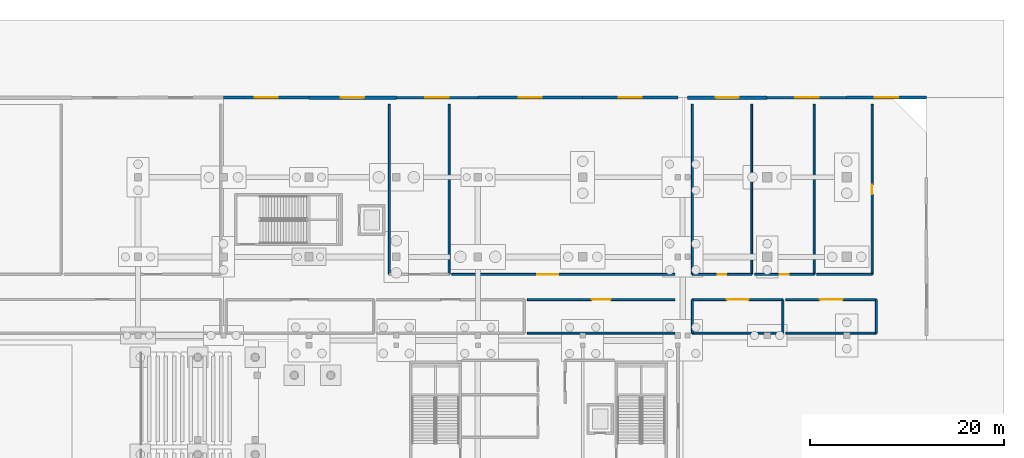
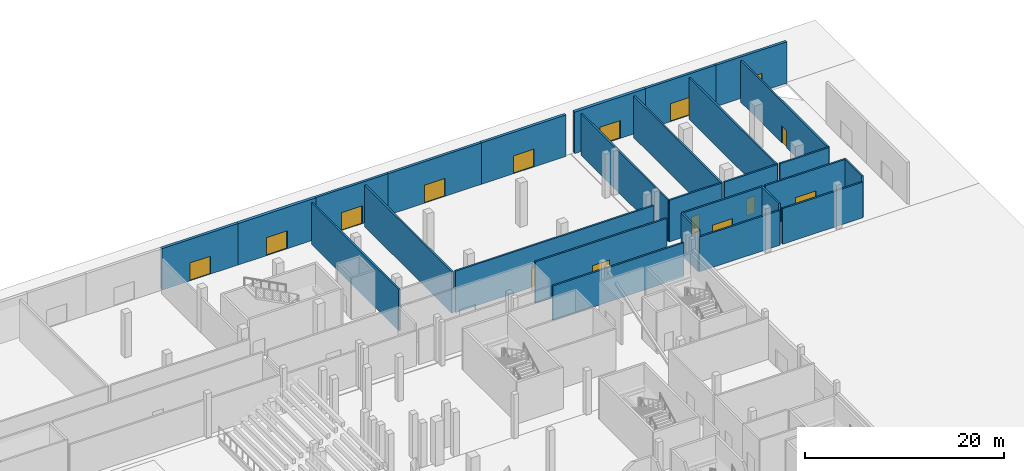
# One storey, part 49 of 89: 27 walls, 15 doors, 15 openings.
"""IFC4 building model written with IfcOpenShell, lengths in metres."""

from ifc_helpers import new_model, si_unit, direction, frame, frame_2d, origin, place, context, subcontext, project, spatial, rectangle, extrude, material, layer, layer_set, type_object, element, fill, save


model = new_model("IFC4")

# Units and contexts
model_context = context("Model", 3, precision=1e-05, world=origin(), true_north=direction((0.0, 1.0)))
body_context = subcontext(model_context, "Body", "Model", "MODEL_VIEW")
ifc_project = project(units=[si_unit("LENGTHUNIT", "METRE"), si_unit("AREAUNIT", "SQUARE_METRE"), si_unit("VOLUMEUNIT", "CUBIC_METRE"), si_unit("PLANEANGLEUNIT", "RADIAN"), si_unit("MASSUNIT", "GRAM", prefix="KILO")], contexts=[model_context])

# Site, building, storey
site_placement = place(None, origin())
site = spatial("IfcSite", under=ifc_project, at=site_placement, CompositionType="ELEMENT")
building_placement = place(site_placement, origin())
building = spatial("IfcBuilding", under=site, at=building_placement, Name="Koshinbarg Plaza Stadium", CompositionType="ELEMENT")
storey_placement = place(building_placement, origin())
storey = spatial("IfcBuildingStorey", under=building, at=storey_placement, Name="L00", CompositionType="ELEMENT", Elevation=0.0)

# Wall, opening, door
ifc_material_1 = material(Name="Terracotta-ochre mineral plaster insulated wall", Category="masonry")
ifc_layer_1 = layer(ifc_material_1, 0.280029296875)
ifc_layer_set_1 = layer_set([ifc_layer_1], Name="Terracotta-ochre mineral plaster insulated wall")
wall_type_1 = type_object("IfcWallType", Name="WL-EXT-280", PredefinedType="SOLIDWALL", material=ifc_layer_set_1)
wall_1_placement = place(storey_placement, frame((189.39990234375, 152.0, 0.0), z_axis=(0.0, 0.0, 1.0), x_axis=(1.0, 0.0, 0.0)))
wall_1 = element("IfcWall", 1, at=wall_1_placement, inside=storey, type_object=wall_type_1, Name="L00 exterior envelope wall EWL-L00-0032", PredefinedType="SOLIDWALL", context=body_context, shape_type="SweptSolid", body=[
    extrude(rectangle(XDim=8.400146484375, YDim=0.280029296875, at=frame_2d((4.2001953125, 0.0))), origin(), (0.0, 0.0, 1.0), 5.080078125),
])
opening_1_placement = place(wall_1_placement, frame((3.0, 0.0, 0.0)))
opening_1 = element("IfcOpeningElement", 2, at=opening_1_placement, cuts=wall_1, Name="Opening D-0033", PredefinedType="OPENING", context=body_context, shape_type="SweptSolid", body=[
    extrude(rectangle(XDim=2.39990234375, YDim=2.199951171875, at=frame_2d((1.199951171875, 1.10009765625))), frame((0.0, 0.14990234375, 0.0), z_axis=(0.0, -1.0, 0.0), x_axis=(1.0, 0.0, 0.0)), (0.0, 0.0, 1.0), 0.300048828125),
])
ifc_material_2 = material(Name="Anodised aluminium thermally broken exit door", Category="aluminium")
door_type_1 = type_object("IfcDoorType", Name="DR-EXIT-2400", OperationType="NOTDEFINED", PredefinedType="DOOR", material=ifc_material_2)
door_1_placement = place(opening_1_placement, origin())
door_1 = element("IfcDoor", 3, at=door_1_placement, inside=storey, type_object=door_type_1, Name="Main exit E32", OperationType="DOUBLE_DOOR_SINGLE_SWING", OverallHeight=2.199951171875, OverallWidth=2.39990234375, PredefinedType="DOOR", context=body_context, shape_type="SweptSolid", body=[
    extrude(rectangle(XDim=2.39990234375, YDim=2.199951171875, at=frame_2d((1.199951171875, 1.10009765625))), frame((0.0, 0.02490234375, 0.0), z_axis=(0.0, -1.0, 0.0), x_axis=(1.0, 0.0, 0.0)), (0.0, 0.0, 1.0), 0.050048828125),
])
fill(opening_1, door_1)

wall_2_placement = place(storey_placement, frame((227.60009765625, 152.0, 0.0), z_axis=(0.0, 0.0, 1.0), x_axis=(1.0, 0.0, 0.0)))
wall_2 = element("IfcWall", 4, at=wall_2_placement, inside=storey, type_object=wall_type_1, Name="L00 exterior envelope wall EWL-L00-0036", PredefinedType="SOLIDWALL", context=body_context, shape_type="SweptSolid", body=[
    extrude(rectangle(XDim=8.199951171875, YDim=0.280029296875, at=frame_2d((4.10009765625, 0.0))), origin(), (0.0, 0.0, 1.0), 5.080078125),
])
opening_2_placement = place(wall_2_placement, frame((2.89990234375, 0.0, 0.0)))
opening_2 = element("IfcOpeningElement", 5, at=opening_2_placement, cuts=wall_2, Name="Opening D-0037", PredefinedType="OPENING", context=body_context, shape_type="SweptSolid", body=[
    extrude(rectangle(XDim=2.39990234375, YDim=2.199951171875, at=frame_2d((1.199951171875, 1.10009765625))), frame((0.0, 0.14990234375, 0.0), z_axis=(0.0, -1.0, 0.0), x_axis=(1.0, 0.0, 0.0)), (0.0, 0.0, 1.0), 0.300048828125),
])
door_2_placement = place(opening_2_placement, origin())
door_2 = element("IfcDoor", 6, at=door_2_placement, inside=storey, type_object=door_type_1, Name="Main exit E36", OperationType="DOUBLE_DOOR_SINGLE_SWING", OverallHeight=2.199951171875, OverallWidth=2.39990234375, PredefinedType="DOOR", context=body_context, shape_type="SweptSolid", body=[
    extrude(rectangle(XDim=2.39990234375, YDim=2.199951171875, at=frame_2d((1.199951171875, 1.10009765625))), frame((0.0, 0.02490234375, 0.0), z_axis=(0.0, -1.0, 0.0), x_axis=(1.0, 0.0, 0.0)), (0.0, 0.0, 1.0), 0.050048828125),
])
fill(opening_2, door_2)

ifc_material_3 = material(Name="Off-white mineral plaster insulated wall", Category="masonry")
ifc_layer_2 = layer(ifc_material_3, 0.300048828125)
ifc_layer_set_2 = layer_set([ifc_layer_2], Name="Off-white mineral plaster insulated wall")
wall_type_2 = type_object("IfcWallType", Name="WL-EXT-300", PredefinedType="SOLIDWALL", material=ifc_layer_set_2)
wall_3_placement = place(storey_placement, frame((197.800048828125, 152.0, 0.0), z_axis=(0.0, 0.0, 1.0), x_axis=(1.0, 0.0, 0.0)))
wall_3 = element("IfcWall", 7, at=wall_3_placement, inside=storey, type_object=wall_type_2, Name="L00 exterior envelope wall EWL-L00-0033", PredefinedType="SOLIDWALL", context=body_context, shape_type="SweptSolid", body=[
    extrude(rectangle(XDim=10.800048828125, YDim=0.300048828125, at=frame_2d((5.39990234375, 0.0))), origin(), (0.0, 0.0, 1.0), 5.080078125),
])
opening_3_placement = place(wall_3_placement, frame((4.199951171875, 0.0, 0.0)))
opening_3 = element("IfcOpeningElement", 8, at=opening_3_placement, cuts=wall_3, Name="Opening D-0034", PredefinedType="OPENING", context=body_context, shape_type="SweptSolid", body=[
    extrude(rectangle(XDim=2.39990234375, YDim=2.199951171875, at=frame_2d((1.199951171875, 1.10009765625))), frame((0.0, 0.159912109375, 0.0), z_axis=(0.0, -1.0, 0.0), x_axis=(1.0, 0.0, 0.0)), (0.0, 0.0, 1.0), 0.320068359375),
])
door_3_placement = place(opening_3_placement, origin())
door_3 = element("IfcDoor", 9, at=door_3_placement, inside=storey, type_object=door_type_1, Name="Main exit E33", OperationType="DOUBLE_DOOR_SINGLE_SWING", OverallHeight=2.199951171875, OverallWidth=2.39990234375, PredefinedType="DOOR", context=body_context, shape_type="SweptSolid", body=[
    extrude(rectangle(XDim=2.39990234375, YDim=2.199951171875, at=frame_2d((1.199951171875, 1.10009765625))), frame((0.0, 0.02490234375, 0.0), z_axis=(0.0, -1.0, 0.0), x_axis=(1.0, 0.0, 0.0)), (0.0, 0.0, 1.0), 0.050048828125),
])
fill(opening_3, door_3)

wall_4_placement = place(storey_placement, frame((235.800048828125, 152.0, 0.0), z_axis=(0.0, 0.0, 1.0), x_axis=(1.0, 0.0, 0.0)))
wall_4 = element("IfcWall", 10, at=wall_4_placement, inside=storey, type_object=wall_type_2, Name="L00 exterior envelope wall EWL-L00-0037", PredefinedType="SOLIDWALL", context=body_context, shape_type="SweptSolid", body=[
    extrude(rectangle(XDim=8.199951171875, YDim=0.300048828125, at=frame_2d((4.10009765625, 0.0))), origin(), (0.0, 0.0, 1.0), 5.080078125),
])
opening_4_placement = place(wall_4_placement, frame((2.89990234375, 0.0, 0.0)))
opening_4 = element("IfcOpeningElement", 11, at=opening_4_placement, cuts=wall_4, Name="Opening D-0038", PredefinedType="OPENING", context=body_context, shape_type="SweptSolid", body=[
    extrude(rectangle(XDim=2.39990234375, YDim=2.199951171875, at=frame_2d((1.199951171875, 1.10009765625))), frame((0.0, 0.159912109375, 0.0), z_axis=(0.0, -1.0, 0.0), x_axis=(1.0, 0.0, 0.0)), (0.0, 0.0, 1.0), 0.320068359375),
])
door_4_placement = place(opening_4_placement, origin())
door_4 = element("IfcDoor", 12, at=door_4_placement, inside=storey, type_object=door_type_1, Name="Main exit E37", OperationType="DOUBLE_DOOR_SINGLE_SWING", OverallHeight=2.199951171875, OverallWidth=2.39990234375, PredefinedType="DOOR", context=body_context, shape_type="SweptSolid", body=[
    extrude(rectangle(XDim=2.39990234375, YDim=2.199951171875, at=frame_2d((1.199951171875, 1.10009765625))), frame((0.0, 0.02490234375, 0.0), z_axis=(0.0, -1.0, 0.0), x_axis=(1.0, 0.0, 0.0)), (0.0, 0.0, 1.0), 0.050048828125),
])
fill(opening_4, door_4)

ifc_material_4 = material(Name="Ultramarine-blue pigmented mineral plaster facade wall", Category="masonry")
ifc_layer_3 = layer(ifc_material_4, 0.320068359375)
ifc_layer_set_3 = layer_set([ifc_layer_3], Name="Ultramarine-blue pigmented mineral plaster facade wall")
wall_type_3 = type_object("IfcWallType", Name="WL-EXT-320", PredefinedType="SOLIDWALL", material=ifc_layer_set_3)
wall_5_placement = place(storey_placement, frame((171.60009765625, 152.0, 0.0), z_axis=(0.0, 0.0, 1.0), x_axis=(1.0, 0.0, 0.0)))
wall_5 = element("IfcWall", 13, at=wall_5_placement, inside=storey, type_object=wall_type_3, Name="L00 exterior envelope wall EWL-L00-0030", PredefinedType="SOLIDWALL", context=body_context, shape_type="SweptSolid", body=[
    extrude(rectangle(XDim=8.7998046875, YDim=0.320068359375, at=frame_2d((4.39990234375, 0.0))), origin(), (0.0, 0.0, 1.0), 5.080078125),
])
opening_5_placement = place(wall_5_placement, frame((3.199951171875, 0.0, 0.0)))
opening_5 = element("IfcOpeningElement", 14, at=opening_5_placement, cuts=wall_5, Name="Opening D-0031", PredefinedType="OPENING", context=body_context, shape_type="SweptSolid", body=[
    extrude(rectangle(XDim=2.39990234375, YDim=2.199951171875, at=frame_2d((1.199951171875, 1.10009765625))), frame((0.0, 0.169921875, 0.0), z_axis=(0.0, -1.0, 0.0), x_axis=(1.0, 0.0, 0.0)), (0.0, 0.0, 1.0), 0.340087890625),
])
door_5_placement = place(opening_5_placement, origin())
door_5 = element("IfcDoor", 15, at=door_5_placement, inside=storey, type_object=door_type_1, Name="Main exit E30", OperationType="DOUBLE_DOOR_SINGLE_SWING", OverallHeight=2.199951171875, OverallWidth=2.39990234375, PredefinedType="DOOR", context=body_context, shape_type="SweptSolid", body=[
    extrude(rectangle(XDim=2.39990234375, YDim=2.199951171875, at=frame_2d((1.199951171875, 1.10009765625))), frame((0.0, 0.02490234375, 0.0), z_axis=(0.0, -1.0, 0.0), x_axis=(1.0, 0.0, 0.0)), (0.0, 0.0, 1.0), 0.050048828125),
])
fill(opening_5, door_5)

wall_6_placement = place(storey_placement, frame((208.60009765625, 152.0, 0.0), z_axis=(0.0, 0.0, 1.0), x_axis=(1.0, 0.0, 0.0)))
wall_6 = element("IfcWall", 16, at=wall_6_placement, inside=storey, type_object=wall_type_3, Name="L00 exterior envelope wall EWL-L00-0034", PredefinedType="SOLIDWALL", context=body_context, shape_type="SweptSolid", body=[
    extrude(rectangle(XDim=9.7998046875, YDim=0.320068359375, at=frame_2d((4.89990234375, 0.0))), origin(), (0.0, 0.0, 1.0), 5.080078125),
])
opening_6_placement = place(wall_6_placement, frame((3.699951171875, 0.0, 0.0)))
opening_6 = element("IfcOpeningElement", 17, at=opening_6_placement, cuts=wall_6, Name="Opening D-0035", PredefinedType="OPENING", context=body_context, shape_type="SweptSolid", body=[
    extrude(rectangle(XDim=2.39990234375, YDim=2.199951171875, at=frame_2d((1.199951171875, 1.10009765625))), frame((0.0, 0.169921875, 0.0), z_axis=(0.0, -1.0, 0.0), x_axis=(1.0, 0.0, 0.0)), (0.0, 0.0, 1.0), 0.340087890625),
])
door_6_placement = place(opening_6_placement, origin())
door_6 = element("IfcDoor", 18, at=door_6_placement, inside=storey, type_object=door_type_1, Name="Main exit E34", OperationType="DOUBLE_DOOR_SINGLE_SWING", OverallHeight=2.199951171875, OverallWidth=2.39990234375, PredefinedType="DOOR", context=body_context, shape_type="SweptSolid", body=[
    extrude(rectangle(XDim=2.39990234375, YDim=2.199951171875, at=frame_2d((1.199951171875, 1.10009765625))), frame((0.0, 0.02490234375, 0.0), z_axis=(0.0, -1.0, 0.0), x_axis=(1.0, 0.0, 0.0)), (0.0, 0.0, 1.0), 0.050048828125),
])
fill(opening_6, door_6)

ifc_material_5 = material(Name="Acoustic insulated masonry stadium wall", Category="masonry")
ifc_layer_4 = layer(ifc_material_5, 0.35009765625)
ifc_layer_set_4 = layer_set([ifc_layer_4], Name="Acoustic insulated masonry stadium wall")
wall_type_4 = type_object("IfcWallType", Name="WL-EXT-350", PredefinedType="SOLIDWALL", material=ifc_layer_set_4)
wall_7_placement = place(storey_placement, frame((180.39990234375, 152.0, 0.0), z_axis=(0.0, 0.0, 1.0), x_axis=(1.0, 0.0, 0.0)))
wall_7 = element("IfcWall", 19, at=wall_7_placement, inside=storey, type_object=wall_type_4, Name="L00 exterior envelope wall EWL-L00-0031", PredefinedType="SOLIDWALL", context=body_context, shape_type="SweptSolid", body=[
    extrude(rectangle(XDim=9.0, YDim=0.35009765625, at=frame_2d((4.5, 0.0))), origin(), (0.0, 0.0, 1.0), 5.080078125),
])
opening_7_placement = place(wall_7_placement, frame((3.300048828125, 0.0, 0.0)))
opening_7 = element("IfcOpeningElement", 20, at=opening_7_placement, cuts=wall_7, Name="Opening D-0032", PredefinedType="OPENING", context=body_context, shape_type="SweptSolid", body=[
    extrude(rectangle(XDim=2.39990234375, YDim=2.199951171875, at=frame_2d((1.199951171875, 1.10009765625))), frame((0.0, 0.18505859375, 0.0), z_axis=(0.0, -1.0, 0.0), x_axis=(1.0, 0.0, 0.0)), (0.0, 0.0, 1.0), 0.3701171875),
])
door_7_placement = place(opening_7_placement, origin())
door_7 = element("IfcDoor", 21, at=door_7_placement, inside=storey, type_object=door_type_1, Name="Main exit E31", OperationType="DOUBLE_DOOR_SINGLE_SWING", OverallHeight=2.199951171875, OverallWidth=2.39990234375, PredefinedType="DOOR", context=body_context, shape_type="SweptSolid", body=[
    extrude(rectangle(XDim=2.39990234375, YDim=2.199951171875, at=frame_2d((1.199951171875, 1.10009765625))), frame((0.0, 0.02490234375, 0.0), z_axis=(0.0, -1.0, 0.0), x_axis=(1.0, 0.0, 0.0)), (0.0, 0.0, 1.0), 0.050048828125),
])
fill(opening_7, door_7)

wall_8_placement = place(storey_placement, frame((219.39990234375, 152.0, 0.0), z_axis=(0.0, 0.0, 1.0), x_axis=(1.0, 0.0, 0.0)))
wall_8 = element("IfcWall", 22, at=wall_8_placement, inside=storey, type_object=wall_type_4, Name="L00 exterior envelope wall EWL-L00-0035", PredefinedType="SOLIDWALL", context=body_context, shape_type="SweptSolid", body=[
    extrude(rectangle(XDim=8.2001953125, YDim=0.35009765625, at=frame_2d((4.10009765625, 0.0))), origin(), (0.0, 0.0, 1.0), 5.080078125),
])
opening_8_placement = place(wall_8_placement, frame((2.89990234375, 0.0, 0.0)))
opening_8 = element("IfcOpeningElement", 23, at=opening_8_placement, cuts=wall_8, Name="Opening D-0036", PredefinedType="OPENING", context=body_context, shape_type="SweptSolid", body=[
    extrude(rectangle(XDim=2.39990234375, YDim=2.199951171875, at=frame_2d((1.199951171875, 1.10009765625))), frame((0.0, 0.18505859375, 0.0), z_axis=(0.0, -1.0, 0.0), x_axis=(1.0, 0.0, 0.0)), (0.0, 0.0, 1.0), 0.3701171875),
])
door_8_placement = place(opening_8_placement, origin())
door_8 = element("IfcDoor", 24, at=door_8_placement, inside=storey, type_object=door_type_1, Name="Main exit E35", OperationType="DOUBLE_DOOR_SINGLE_SWING", OverallHeight=2.199951171875, OverallWidth=2.39990234375, PredefinedType="DOOR", context=body_context, shape_type="SweptSolid", body=[
    extrude(rectangle(XDim=2.39990234375, YDim=2.199951171875, at=frame_2d((1.199951171875, 1.10009765625))), frame((0.0, 0.02490234375, 0.0), z_axis=(0.0, -1.0, 0.0), x_axis=(1.0, 0.0, 0.0)), (0.0, 0.0, 1.0), 0.050048828125),
])
fill(opening_8, door_8)

# Wall
ifc_material_6 = material(Name="Autoclaved aerated blockwork fire partition", Category="masonry")
ifc_layer_5 = layer(ifc_material_6, 0.199951171875)
ifc_layer_set_5 = layer_set([ifc_layer_5], Name="Autoclaved aerated blockwork fire partition")
wall_type_5 = type_object("IfcWallType", Name="WL-PART-200", PredefinedType="PARTITIONING", material=ifc_layer_set_5)
wall_9_placement = place(storey_placement, frame((202.893310546875, 127.7451171875, 0.0), z_axis=(0.0, 0.0, 1.0), x_axis=(1.0, 0.0, 0.0)))
element("IfcWall", 25, at=wall_9_placement, inside=storey, type_object=wall_type_5, Name="L00 interior partition L00-128-south IWL-L00-1220", PredefinedType="PARTITIONING", context=body_context, shape_type="SweptSolid", body=[
    extrude(rectangle(XDim=15.211669921875, YDim=0.199951171875, at=frame_2d((7.60595703125, 0.0))), origin(), (0.0, 0.0, 1.0), 4.2099609375),
])

# Wall, opening, door
wall_10_placement = place(storey_placement, frame((218.10498046875, 131.199951171875, 0.0), z_axis=(0.0, 0.0, 1.0), x_axis=(-1.0, 0.0, 0.0)))
wall_10 = element("IfcWall", 26, at=wall_10_placement, inside=storey, type_object=wall_type_5, Name="L00 interior partition L00-128-north IWL-L00-1221", PredefinedType="PARTITIONING", context=body_context, shape_type="SweptSolid", body=[
    extrude(rectangle(XDim=15.211669921875, YDim=0.199951171875, at=frame_2d((7.60595703125, 0.0))), origin(), (0.0, 0.0, 1.0), 5.080078125),
])
opening_9_placement = place(wall_10_placement, frame((6.625732421875, 0.0, 0.0)))
opening_9 = element("IfcOpeningElement", 27, at=opening_9_placement, cuts=wall_10, Name="Opening D-0397", PredefinedType="OPENING", context=body_context, shape_type="SweptSolid", body=[
    extrude(rectangle(XDim=1.9599609375, YDim=2.300048828125, at=frame_2d((0.97998046875, 1.14990234375))), frame((0.0, 0.10986328125, 0.0), z_axis=(0.0, -1.0, 0.0), x_axis=(1.0, 0.0, 0.0)), (0.0, 0.0, 1.0), 0.219970703125),
])
ifc_material_7 = material(Name="Bronze-anodised aluminium glazed double door", Category="aluminium")
door_type_2 = type_object("IfcDoorType", Name="DR-INT-1960x2300", OperationType="NOTDEFINED", PredefinedType="DOOR", material=ifc_material_7)
door_9_placement = place(opening_9_placement, origin())
door_9 = element("IfcDoor", 28, at=door_9_placement, inside=storey, type_object=door_type_2, Name="L00 Tashkent Football Heritage Salon door D-0397", OperationType="DOUBLE_DOOR_SINGLE_SWING", OverallHeight=2.300048828125, OverallWidth=1.9599609375, PredefinedType="DOOR", context=body_context, shape_type="SweptSolid", body=[
    extrude(rectangle(XDim=1.9599609375, YDim=2.300048828125, at=frame_2d((0.97998046875, 1.14990234375))), frame((0.0, 0.02490234375, 0.0), z_axis=(0.0, -1.0, 0.0), x_axis=(1.0, 0.0, 0.0)), (0.0, 0.0, 1.0), 0.050048828125),
])
fill(opening_9, door_9)

# Walls
for number, where, z_axis, x_axis, name in (
    (29, (194.83740234375, 133.800048828125, 0.0), (0.0, 0.0, 1.0), (0.0, 1.0, 0.0), "L00 interior partition L00-129-east IWL-L00-1223"),
    (30, (188.679931640625, 151.300048828125, 0.0), (0.0, 0.0, 1.0), (0.0, -1.0, 0.0), "L00 interior partition L00-129-west IWL-L00-1224"),
):
    element("IfcWall", number, at=place(storey_placement, frame(where, z_axis=z_axis, x_axis=x_axis)), inside=storey, type_object=wall_type_5, Name=name, PredefinedType="PARTITIONING", context=body_context, shape_type="SweptSolid", body=[
        extrude(rectangle(XDim=17.5, YDim=0.199951171875, at=frame_2d((8.75, 0.0))), origin(), (0.0, 0.0, 1.0), 5.080078125),
    ])

# Wall, opening, door
wall_11_placement = place(storey_placement, frame((195.137451171875, 133.800048828125, 0.0), z_axis=(0.0, 0.0, 1.0), x_axis=(1.0, 0.0, 0.0)))
wall_11 = element("IfcWall", 31, at=wall_11_placement, inside=storey, type_object=wall_type_5, Name="L00 interior partition L00-130-south IWL-L00-1225", PredefinedType="PARTITIONING", context=body_context, shape_type="SweptSolid", body=[
    extrude(rectangle(XDim=22.967529296875, YDim=0.199951171875, at=frame_2d((11.48388671875, 0.0))), origin(), (0.0, 0.0, 1.0), 5.080078125),
])
opening_10_placement = place(wall_11_placement, frame((8.795166015625, 0.0, 0.0)))
opening_10 = element("IfcOpeningElement", 32, at=opening_10_placement, cuts=wall_11, Name="Opening D-0399", PredefinedType="OPENING", context=body_context, shape_type="SweptSolid", body=[
    extrude(rectangle(XDim=2.159912109375, YDim=2.35009765625, at=frame_2d((1.080078125, 1.175048828125))), frame((0.0, 0.10986328125, 0.0), z_axis=(0.0, -1.0, 0.0), x_axis=(1.0, 0.0, 0.0)), (0.0, 0.0, 1.0), 0.219970703125),
])
ifc_material_8 = material(Name="Galvanized painted steel double leaf door", Category="steel")
door_type_3 = type_object("IfcDoorType", Name="DR-INT-2160x2350", OperationType="NOTDEFINED", PredefinedType="DOOR", material=ifc_material_8)
door_10_placement = place(opening_10_placement, origin())
door_10 = element("IfcDoor", 33, at=door_10_placement, inside=storey, type_object=door_type_3, Name="L00 Tashkent Football Heritage Salon door D-0399", OperationType="DOUBLE_DOOR_SINGLE_SWING", OverallHeight=2.35009765625, OverallWidth=2.159912109375, PredefinedType="DOOR", context=body_context, shape_type="SweptSolid", body=[
    extrude(rectangle(XDim=2.159912109375, YDim=2.35009765625, at=frame_2d((1.080078125, 1.175048828125))), frame((0.0, 0.02490234375, 0.0), z_axis=(0.0, -1.0, 0.0), x_axis=(1.0, 0.0, 0.0)), (0.0, 0.0, 1.0), 0.050048828125),
])
fill(opening_10, door_10)

# Walls
wall_12_placement = place(storey_placement, frame((219.89501953125, 127.7451171875, 0.0), z_axis=(0.0, 0.0, 1.0), x_axis=(1.0, 0.0, 0.0)))
element("IfcWall", 34, at=wall_12_placement, inside=storey, type_object=wall_type_5, Name="L00 interior partition L00-131-south IWL-L00-1226", PredefinedType="PARTITIONING", context=body_context, shape_type="SweptSolid", body=[
    extrude(rectangle(XDim=9.327392578125, YDim=0.199951171875, at=frame_2d((4.66357421875, 0.0))), origin(), (0.0, 0.0, 1.0), 4.260009765625),
])
wall_13_placement = place(storey_placement, frame((229.222412109375, 127.7451171875, 0.0), z_axis=(0.0, 0.0, 1.0), x_axis=(0.0, 1.0, 0.0)))
element("IfcWall", 35, at=wall_13_placement, inside=storey, type_object=wall_type_5, Name="L00 interior partition L00-131-east IWL-L00-1227", PredefinedType="PARTITIONING", context=body_context, shape_type="SweptSolid", body=[
    extrude(rectangle(XDim=3.454833984375, YDim=0.199951171875, at=frame_2d((1.7275390625, 0.0))), origin(), (0.0, 0.0, 1.0), 5.080078125),
])

# Wall, opening, door
wall_14_placement = place(storey_placement, frame((229.222412109375, 131.199951171875, 0.0), z_axis=(0.0, 0.0, 1.0), x_axis=(-1.0, 0.0, 0.0)))
wall_14 = element("IfcWall", 36, at=wall_14_placement, inside=storey, type_object=wall_type_5, Name="L00 interior partition L00-131-north IWL-L00-1228", PredefinedType="PARTITIONING", context=body_context, shape_type="SweptSolid", body=[
    extrude(rectangle(XDim=9.327392578125, YDim=0.199951171875, at=frame_2d((4.66357421875, 0.0))), origin(), (0.0, 0.0, 1.0), 5.080078125),
])
opening_11_placement = place(wall_14_placement, frame((3.523681640625, 0.0, 0.0)))
opening_11 = element("IfcOpeningElement", 37, at=opening_11_placement, cuts=wall_14, Name="Opening D-0400", PredefinedType="OPENING", context=body_context, shape_type="SweptSolid", body=[
    extrude(rectangle(XDim=2.280029296875, YDim=2.39990234375, at=frame_2d((1.14013671875, 1.199951171875))), frame((0.0, 0.10986328125, 0.0), z_axis=(0.0, -1.0, 0.0), x_axis=(1.0, 0.0, 0.0)), (0.0, 0.0, 1.0), 0.219970703125),
])
ifc_material_9 = material(Name="Anodised aluminium and laminated glass portal door", Category="aluminium")
door_type_4 = type_object("IfcDoorType", Name="DR-INT-2280x2400", OperationType="NOTDEFINED", PredefinedType="DOOR", material=ifc_material_9)
door_11_placement = place(opening_11_placement, origin())
door_11 = element("IfcDoor", 38, at=door_11_placement, inside=storey, type_object=door_type_4, Name="L00 Olympic Heritage Exhibition Hall door D-0400", OperationType="DOUBLE_DOOR_SINGLE_SWING", OverallHeight=2.39990234375, OverallWidth=2.280029296875, PredefinedType="DOOR", context=body_context, shape_type="SweptSolid", body=[
    extrude(rectangle(XDim=2.280029296875, YDim=2.39990234375, at=frame_2d((1.14013671875, 1.199951171875))), frame((0.0, 0.02490234375, 0.0), z_axis=(0.0, -1.0, 0.0), x_axis=(1.0, 0.0, 0.0)), (0.0, 0.0, 1.0), 0.050048828125),
])
fill(opening_11, door_11)

# Walls
wall_15_placement = place(storey_placement, frame((219.89501953125, 131.199951171875, 0.0), z_axis=(0.0, 0.0, 1.0), x_axis=(0.0, -1.0, 0.0)))
element("IfcWall", 39, at=wall_15_placement, inside=storey, type_object=wall_type_5, Name="L00 interior partition L00-131-west IWL-L00-1229", PredefinedType="PARTITIONING", context=body_context, shape_type="SweptSolid", body=[
    extrude(rectangle(XDim=3.454833984375, YDim=0.199951171875, at=frame_2d((1.7275390625, 0.0))), origin(), (0.0, 0.0, 1.0), 5.080078125),
])
wall_16_placement = place(storey_placement, frame((229.5224609375, 127.7451171875, 0.0), z_axis=(0.0, 0.0, 1.0), x_axis=(1.0, 0.0, 0.0)))
element("IfcWall", 40, at=wall_16_placement, inside=storey, type_object=wall_type_5, Name="L00 interior partition L00-132-south IWL-L00-1230", PredefinedType="PARTITIONING", context=body_context, shape_type="SweptSolid", body=[
    extrude(rectangle(XDim=9.32763671875, YDim=0.199951171875, at=frame_2d((4.663818359375, 0.0))), origin(), (0.0, 0.0, 1.0), 4.360107421875),
])
wall_17_placement = place(storey_placement, frame((238.85009765625, 127.7451171875, 0.0), z_axis=(0.0, 0.0, 1.0), x_axis=(0.0, 1.0, 0.0)))
element("IfcWall", 41, at=wall_17_placement, inside=storey, type_object=wall_type_5, Name="L00 interior partition L00-132-east IWL-L00-1231", PredefinedType="PARTITIONING", context=body_context, shape_type="SweptSolid", body=[
    extrude(rectangle(XDim=3.454833984375, YDim=0.199951171875, at=frame_2d((1.7275390625, 0.0))), origin(), (0.0, 0.0, 1.0), 5.080078125),
])

# Wall, opening, door
wall_18_placement = place(storey_placement, frame((238.85009765625, 131.199951171875, 0.0), z_axis=(0.0, 0.0, 1.0), x_axis=(-1.0, 0.0, 0.0)))
wall_18 = element("IfcWall", 42, at=wall_18_placement, inside=storey, type_object=wall_type_5, Name="L00 interior partition L00-132-north IWL-L00-1232", PredefinedType="PARTITIONING", context=body_context, shape_type="SweptSolid", body=[
    extrude(rectangle(XDim=9.32763671875, YDim=0.199951171875, at=frame_2d((4.663818359375, 0.0))), origin(), (0.0, 0.0, 1.0), 5.080078125),
])
opening_12_placement = place(wall_18_placement, frame((3.483642578125, 0.0, 0.0)))
opening_12 = element("IfcOpeningElement", 43, at=opening_12_placement, cuts=wall_18, Name="Opening D-0401", PredefinedType="OPENING", context=body_context, shape_type="SweptSolid", body=[
    extrude(rectangle(XDim=2.360107421875, YDim=2.39990234375, at=frame_2d((1.18017578125, 1.199951171875))), frame((0.0, 0.10986328125, 0.0), z_axis=(0.0, -1.0, 0.0), x_axis=(1.0, 0.0, 0.0)), (0.0, 0.0, 1.0), 0.219970703125),
])
ifc_material_10 = material(Name="Powder-coated steel and tempered glass double door", Category="steel")
door_type_5 = type_object("IfcDoorType", Name="DR-INT-2360x2400", OperationType="NOTDEFINED", PredefinedType="DOOR", material=ifc_material_10)
door_12_placement = place(opening_12_placement, origin())
door_12 = element("IfcDoor", 44, at=door_12_placement, inside=storey, type_object=door_type_5, Name="L00 Tashkent Football Heritage Salon door D-0401", OperationType="DOUBLE_DOOR_SINGLE_SWING", OverallHeight=2.39990234375, OverallWidth=2.360107421875, PredefinedType="DOOR", context=body_context, shape_type="SweptSolid", body=[
    extrude(rectangle(XDim=2.360107421875, YDim=2.39990234375, at=frame_2d((1.18017578125, 1.199951171875))), frame((0.0, 0.02490234375, 0.0), z_axis=(0.0, -1.0, 0.0), x_axis=(1.0, 0.0, 0.0)), (0.0, 0.0, 1.0), 0.050048828125),
])
fill(opening_12, door_12)

wall_19_placement = place(storey_placement, frame((219.89501953125, 133.800048828125, 0.0), z_axis=(0.0, 0.0, 1.0), x_axis=(1.0, 0.0, 0.0)))
wall_19 = element("IfcWall", 45, at=wall_19_placement, inside=storey, type_object=wall_type_5, Name="L00 interior partition L00-133-south IWL-L00-1233", PredefinedType="PARTITIONING", context=body_context, shape_type="SweptSolid", body=[
    extrude(rectangle(XDim=6.1181640625, YDim=0.199951171875, at=frame_2d((3.05908203125, 0.0))), origin(), (0.0, 0.0, 1.0), 5.080078125),
])
opening_13_placement = place(wall_19_placement, frame((2.59912109375, 0.0, 0.0)))
opening_13 = element("IfcOpeningElement", 46, at=opening_13_placement, cuts=wall_19, Name="Opening D-0402", PredefinedType="OPENING", context=body_context, shape_type="SweptSolid", body=[
    extrude(rectangle(XDim=0.919921875, YDim=2.10009765625, at=frame_2d((0.4599609375, 1.050048828125))), frame((0.0, 0.10986328125, 0.0), z_axis=(0.0, -1.0, 0.0), x_axis=(1.0, 0.0, 0.0)), (0.0, 0.0, 1.0), 0.219970703125),
])
ifc_material_11 = material(Name="Solid-core oak veneer acoustic door")
door_type_6 = type_object("IfcDoorType", Name="DR-INT-0920x2100", OperationType="NOTDEFINED", PredefinedType="DOOR", material=ifc_material_11)
door_13_placement = place(opening_13_placement, origin())
door_13 = element("IfcDoor", 47, at=door_13_placement, inside=storey, type_object=door_type_6, Name="L00 Tashkent Football Heritage Salon door D-0402", OperationType="SINGLE_SWING_RIGHT", OverallHeight=2.10009765625, OverallWidth=0.919921875, PredefinedType="DOOR", context=body_context, shape_type="SweptSolid", body=[
    extrude(rectangle(XDim=0.919921875, YDim=2.10009765625, at=frame_2d((0.4599609375, 1.050048828125))), frame((0.0, 0.02490234375, 0.0), z_axis=(0.0, -1.0, 0.0), x_axis=(1.0, 0.0, 0.0)), (0.0, 0.0, 1.0), 0.050048828125),
])
fill(opening_13, door_13)

# Walls
for number, where, z_axis, x_axis, name in (
    (48, (226.01318359375, 133.800048828125, 0.0), (0.0, 0.0, 1.0), (0.0, 1.0, 0.0), "L00 interior partition L00-133-east IWL-L00-1234"),
    (49, (219.89501953125, 151.300048828125, 0.0), (0.0, 0.0, 1.0), (0.0, -1.0, 0.0), "L00 interior partition L00-133-west IWL-L00-1235"),
):
    element("IfcWall", number, at=place(storey_placement, frame(where, z_axis=z_axis, x_axis=x_axis)), inside=storey, type_object=wall_type_5, Name=name, PredefinedType="PARTITIONING", context=body_context, shape_type="SweptSolid", body=[
        extrude(rectangle(XDim=17.5, YDim=0.199951171875, at=frame_2d((8.75, 0.0))), origin(), (0.0, 0.0, 1.0), 5.080078125),
    ])

# Wall, opening, door
wall_20_placement = place(storey_placement, frame((226.313232421875, 133.800048828125, 0.0), z_axis=(0.0, 0.0, 1.0), x_axis=(1.0, 0.0, 0.0)))
wall_20 = element("IfcWall", 50, at=wall_20_placement, inside=storey, type_object=wall_type_5, Name="L00 interior partition L00-134-south IWL-L00-1236", PredefinedType="PARTITIONING", context=body_context, shape_type="SweptSolid", body=[
    extrude(rectangle(XDim=6.118408203125, YDim=0.199951171875, at=frame_2d((3.05908203125, 0.0))), origin(), (0.0, 0.0, 1.0), 5.080078125),
])
opening_14_placement = place(wall_20_placement, frame((2.5791015625, 0.0, 0.0)))
opening_14 = element("IfcOpeningElement", 51, at=opening_14_placement, cuts=wall_20, Name="Opening D-0403", PredefinedType="OPENING", context=body_context, shape_type="SweptSolid", body=[
    extrude(rectangle(XDim=0.9599609375, YDim=2.10009765625, at=frame_2d((0.47998046875, 1.050048828125))), frame((0.0, 0.10986328125, 0.0), z_axis=(0.0, -1.0, 0.0), x_axis=(1.0, 0.0, 0.0)), (0.0, 0.0, 1.0), 0.219970703125),
])
door_type_7 = type_object("IfcDoorType", Name="DR-INT-0960x2100", OperationType="NOTDEFINED", PredefinedType="DOOR", material=ifc_material_11)
door_14_placement = place(opening_14_placement, origin())
door_14 = element("IfcDoor", 52, at=door_14_placement, inside=storey, type_object=door_type_7, Name="L00 Supporters' Bookshop door D-0403", OperationType="SINGLE_SWING_LEFT", OverallHeight=2.10009765625, OverallWidth=0.9599609375, PredefinedType="DOOR", context=body_context, shape_type="SweptSolid", body=[
    extrude(rectangle(XDim=0.9599609375, YDim=2.10009765625, at=frame_2d((0.47998046875, 1.050048828125))), frame((0.0, 0.02490234375, 0.0), z_axis=(0.0, -1.0, 0.0), x_axis=(1.0, 0.0, 0.0)), (0.0, 0.0, 1.0), 0.050048828125),
])
fill(opening_14, door_14)

# Walls
wall_21_placement = place(storey_placement, frame((232.431640625, 133.800048828125, 0.0), z_axis=(0.0, 0.0, 1.0), x_axis=(0.0, 1.0, 0.0)))
element("IfcWall", 53, at=wall_21_placement, inside=storey, type_object=wall_type_5, Name="L00 interior partition L00-134-east IWL-L00-1237", PredefinedType="PARTITIONING", context=body_context, shape_type="SweptSolid", body=[
    extrude(rectangle(XDim=17.5, YDim=0.199951171875, at=frame_2d((8.75, 0.0))), origin(), (0.0, 0.0, 1.0), 5.080078125),
])
wall_22_placement = place(storey_placement, frame((232.731689453125, 133.800048828125, 0.0), z_axis=(0.0, 0.0, 1.0), x_axis=(1.0, 0.0, 0.0)))
element("IfcWall", 54, at=wall_22_placement, inside=storey, type_object=wall_type_5, Name="L00 interior partition L00-135-south IWL-L00-1238", PredefinedType="PARTITIONING", context=body_context, shape_type="SweptSolid", body=[
    extrude(rectangle(XDim=5.688232421875, YDim=0.199951171875, at=frame_2d((2.84423828125, 0.0))), origin(), (0.0, 0.0, 1.0), 5.080078125),
])

# Wall, opening, door
wall_23_placement = place(storey_placement, frame((238.419921875, 133.800048828125, 0.0), z_axis=(0.0, 0.0, 1.0), x_axis=(0.0, 1.0, 0.0)))
wall_23 = element("IfcWall", 55, at=wall_23_placement, inside=storey, type_object=wall_type_5, Name="L00 interior partition L00-135-east IWL-L00-1239", PredefinedType="PARTITIONING", context=body_context, shape_type="SweptSolid", body=[
    extrude(rectangle(XDim=17.5, YDim=0.199951171875, at=frame_2d((8.75, 0.0))), origin(), (0.0, 0.0, 1.0), 5.080078125),
])
opening_15_placement = place(wall_23_placement, frame((8.25, 0.0, 0.0)))
opening_15 = element("IfcOpeningElement", 56, at=opening_15_placement, cuts=wall_23, Name="Opening D-0404", PredefinedType="OPENING", context=body_context, shape_type="SweptSolid", body=[
    extrude(rectangle(XDim=1.0, YDim=2.10009765625, at=frame_2d((0.5, 1.050048828125))), frame((0.0, 0.10986328125, 0.0), z_axis=(0.0, -1.0, 0.0), x_axis=(1.0, 0.0, 0.0)), (0.0, 0.0, 1.0), 0.219970703125),
])
ifc_material_12 = material(Name="Solid-core laminate accessible WC door")
door_type_8 = type_object("IfcDoorType", Name="DR-INT-1000x2100", OperationType="NOTDEFINED", PredefinedType="DOOR", material=ifc_material_12)
door_15_placement = place(opening_15_placement, origin())
door_15 = element("IfcDoor", 57, at=door_15_placement, inside=storey, type_object=door_type_8, Name="L00 Sports Museum Hall door D-0404", OperationType="SINGLE_SWING_RIGHT", OverallHeight=2.10009765625, OverallWidth=1.0, PredefinedType="DOOR", context=body_context, shape_type="SweptSolid", body=[
    extrude(rectangle(XDim=1.0, YDim=2.10009765625, at=frame_2d((0.5, 1.050048828125))), frame((0.0, 0.02490234375, 0.0), z_axis=(0.0, -1.0, 0.0), x_axis=(1.0, 0.0, 0.0)), (0.0, 0.0, 1.0), 0.050048828125),
])
fill(opening_15, door_15)

save(model, "model.ifc")
